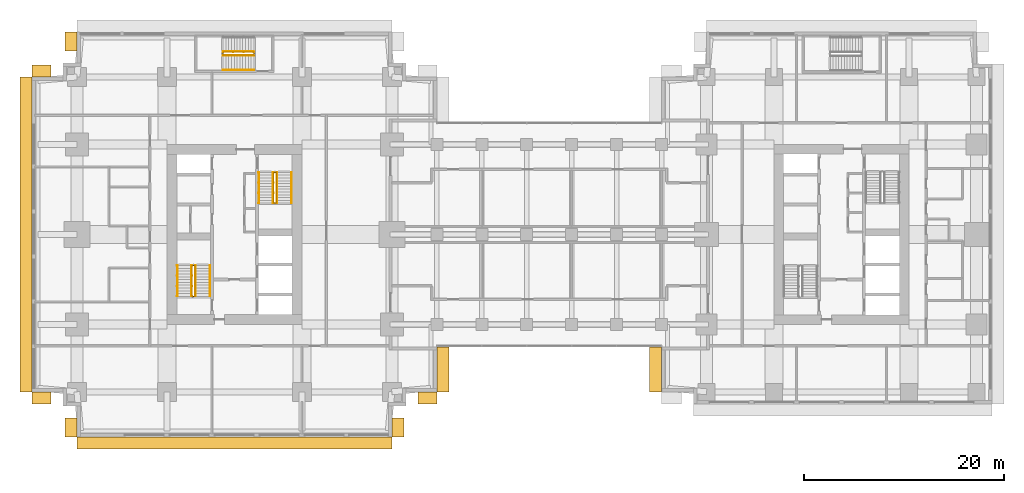
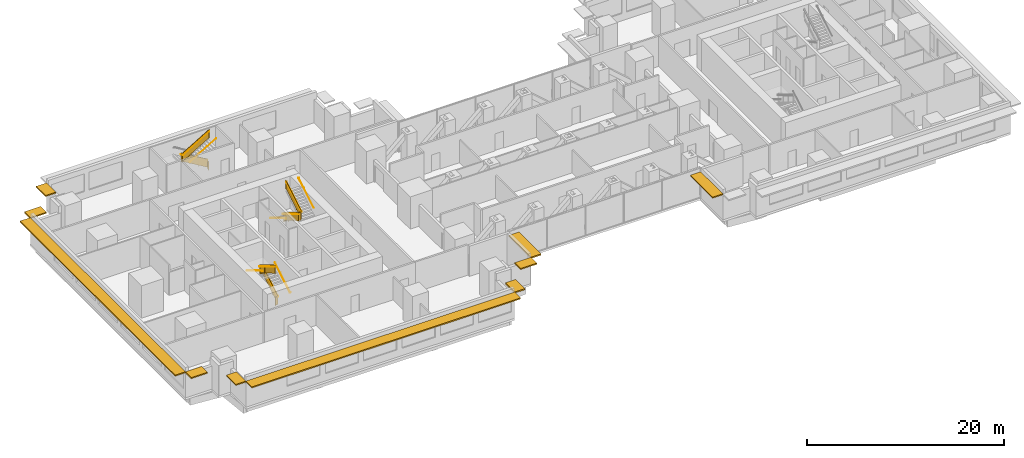
# One storey, part 14 of 16: 14 railings, 10 shading devices.
"""IFC4 building model written with IfcOpenShell, lengths in metres."""

from ifc_helpers import new_model, si_unit, direction, frame, origin, origin_2d, place, context, subcontext, project, spatial, polyline, rectangle, circle, outline, extrude, material, layer, layer_set, type_object, element, save


model = new_model("IFC4")

# Units and contexts
model_context = context("Model", 3, precision=1e-05, world=origin(), true_north=direction((0.0, 1.0)))
body_context = subcontext(model_context, "Body", "Model", "MODEL_VIEW")
ifc_project = project(units=[si_unit("LENGTHUNIT", "METRE"), si_unit("AREAUNIT", "SQUARE_METRE"), si_unit("VOLUMEUNIT", "CUBIC_METRE"), si_unit("PLANEANGLEUNIT", "RADIAN"), si_unit("MASSUNIT", "GRAM", prefix="KILO")], contexts=[model_context])

# Site, building, storey
site_placement = place(None, origin())
site = spatial("IfcSite", under=ifc_project, at=site_placement, CompositionType="ELEMENT")
building_placement = place(site_placement, origin())
building = spatial("IfcBuilding", under=site, at=building_placement, Name="Namib Vertical Campus", CompositionType="ELEMENT")
storey_placement = place(building_placement, frame((0.0, 0.0, 121.0)))
storey = spatial("IfcBuildingStorey", under=building, at=storey_placement, Name="L28", CompositionType="ELEMENT", Elevation=121.0)

# Railings
ifc_material_1 = material(Name="Steel handrail", Category="steel")
railing_type_1 = type_object("IfcRailingType", Name="Handrail 900", PredefinedType="HANDRAIL", material=ifc_material_1)
railing_1_placement = place(storey_placement, frame((17.800048828125, 14.050048828125, 0.166748046875)))
element("IfcRailing", 1, at=railing_1_placement, inside=storey, type_object=railing_type_1, Name="Handrail HR1 A-S1 L28 1", PredefinedType="HANDRAIL", context=body_context, shape_type="SweptSolid", body=[
    extrude(circle(Radius=0.02392578125, at=origin_2d()), frame((0.0, 0.0, 0.8759765625), z_axis=(0.0, 0.859290745958, 0.51148745235), x_axis=(-1.0, 0.0, 0.0)), (0.0, 0.0, 1.0), 3.584228515625),
    extrude(circle(Radius=0.008056640625, at=origin_2d()), frame((0.0, 0.0, 0.8759765625), z_axis=(1.0, 0.0, 0.0), x_axis=(0.0, 0.0, 1.0)), (0.0, 0.0, 1.0), 0.050048828125),
    extrude(circle(Radius=0.008056640625, at=origin_2d()), frame((0.0, 1.026611328125, 1.48681640625), z_axis=(1.0, 0.0, 0.0), x_axis=(0.0, 0.0, 1.0)), (0.0, 0.0, 1.0), 0.050048828125),
    extrude(circle(Radius=0.008056640625, at=origin_2d()), frame((0.0, 2.05322265625, 2.09814453125), z_axis=(1.0, 0.0, 0.0), x_axis=(0.0, 0.0, 1.0)), (0.0, 0.0, 1.0), 0.050048828125),
    extrude(circle(Radius=0.008056640625, at=origin_2d()), frame((0.0, 3.079833984375, 2.708984375), z_axis=(1.0, 0.0, 0.0), x_axis=(0.0, 0.0, 1.0)), (0.0, 0.0, 1.0), 0.050048828125),
])
railing_2_placement = place(storey_placement, frame((14.550048828125, 17.1298828125, 2.166748046875)))
element("IfcRailing", 2, at=railing_2_placement, inside=storey, type_object=railing_type_1, Name="Handrail HR1 A-S1 L28 2", PredefinedType="HANDRAIL", context=body_context, shape_type="SweptSolid", body=[
    extrude(circle(Radius=0.02392578125, at=origin_2d()), frame((0.0, 0.0, 0.8759765625), z_axis=(0.0, -0.859290745958, 0.51148745235), x_axis=(1.0, 0.0, 0.0)), (0.0, 0.0, 1.0), 3.584228515625),
    extrude(circle(Radius=0.008056640625, at=origin_2d()), frame((0.0, 0.0, 0.8759765625), z_axis=(-1.0, 0.0, 0.0), x_axis=(0.0, 0.0, 1.0)), (0.0, 0.0, 1.0), 0.050048828125),
    extrude(circle(Radius=0.008056640625, at=origin_2d()), frame((0.0, -1.026611328125, 1.48681640625), z_axis=(-1.0, 0.0, 0.0), x_axis=(0.0, 0.0, 1.0)), (0.0, 0.0, 1.0), 0.050048828125),
    extrude(circle(Radius=0.008056640625, at=origin_2d()), frame((0.0, -2.05322265625, 2.09814453125), z_axis=(-1.0, 0.0, 0.0), x_axis=(0.0, 0.0, 1.0)), (0.0, 0.0, 1.0), 0.050048828125),
    extrude(circle(Radius=0.008056640625, at=origin_2d()), frame((0.0, -3.079833984375, 2.708984375), z_axis=(-1.0, 0.0, 0.0), x_axis=(0.0, 0.0, 1.0)), (0.0, 0.0, 1.0), 0.050048828125),
])
railing_3_placement = place(storey_placement, frame((16.375, 14.050048828125, 0.166748046875)))
element("IfcRailing", 3, at=railing_3_placement, inside=storey, type_object=railing_type_1, Name="Handrail HR1 A-S1 L28 1 at the well", PredefinedType="HANDRAIL", context=body_context, shape_type="SweptSolid", body=[
    extrude(circle(Radius=0.02392578125, at=origin_2d()), frame((0.0, 0.0, 0.8759765625), z_axis=(0.0, 0.859290745958, 0.51148745235), x_axis=(-1.0, 0.0, 0.0)), (0.0, 0.0, 1.0), 3.584228515625),
    extrude(circle(Radius=0.008056640625, at=origin_2d()), frame((0.0, 0.0, 0.8759765625), z_axis=(-1.0, 0.0, 0.0), x_axis=(0.0, 0.0, 1.0)), (0.0, 0.0, 1.0), 0.0400390625),
    extrude(circle(Radius=0.008056640625, at=origin_2d()), frame((0.0, 1.026611328125, 1.48681640625), z_axis=(-1.0, 0.0, 0.0), x_axis=(0.0, 0.0, 1.0)), (0.0, 0.0, 1.0), 0.0400390625),
    extrude(circle(Radius=0.008056640625, at=origin_2d()), frame((0.0, 2.05322265625, 2.09814453125), z_axis=(-1.0, 0.0, 0.0), x_axis=(0.0, 0.0, 1.0)), (0.0, 0.0, 1.0), 0.0400390625),
    extrude(circle(Radius=0.008056640625, at=origin_2d()), frame((0.0, 3.079833984375, 2.708984375), z_axis=(-1.0, 0.0, 0.0), x_axis=(0.0, 0.0, 1.0)), (0.0, 0.0, 1.0), 0.0400390625),
])
railing_4_placement = place(storey_placement, frame((15.97509765625, 17.1298828125, 2.166748046875)))
element("IfcRailing", 4, at=railing_4_placement, inside=storey, type_object=railing_type_1, Name="Handrail HR1 A-S1 L28 2 at the well", PredefinedType="HANDRAIL", context=body_context, shape_type="SweptSolid", body=[
    extrude(circle(Radius=0.02392578125, at=origin_2d()), frame((0.0, 0.0, 0.8759765625), z_axis=(0.0, -0.859290745958, 0.51148745235), x_axis=(1.0, 0.0, 0.0)), (0.0, 0.0, 1.0), 3.584228515625),
    extrude(circle(Radius=0.008056640625, at=origin_2d()), frame((0.0, 0.0, 0.8759765625), z_axis=(1.0, 0.0, 0.0), x_axis=(0.0, 0.0, 1.0)), (0.0, 0.0, 1.0), 0.0400390625),
    extrude(circle(Radius=0.008056640625, at=origin_2d()), frame((0.0, -1.026611328125, 1.48681640625), z_axis=(1.0, 0.0, 0.0), x_axis=(0.0, 0.0, 1.0)), (0.0, 0.0, 1.0), 0.0400390625),
    extrude(circle(Radius=0.008056640625, at=origin_2d()), frame((0.0, -2.05322265625, 2.09814453125), z_axis=(1.0, 0.0, 0.0), x_axis=(0.0, 0.0, 1.0)), (0.0, 0.0, 1.0), 0.0400390625),
    extrude(circle(Radius=0.008056640625, at=origin_2d()), frame((0.0, -3.079833984375, 2.708984375), z_axis=(1.0, 0.0, 0.0), x_axis=(0.0, 0.0, 1.0)), (0.0, 0.0, 1.0), 0.0400390625),
])
railing_5_placement = place(storey_placement, frame((22.699951171875, 26.449951171875, 0.166748046875)))
element("IfcRailing", 5, at=railing_5_placement, inside=storey, type_object=railing_type_1, Name="Handrail HR1 A-S2 L28 1", PredefinedType="HANDRAIL", context=body_context, shape_type="SweptSolid", body=[
    extrude(circle(Radius=0.02392578125, at=origin_2d()), frame((0.0, 0.0, 0.8759765625), z_axis=(0.0, -0.859290745958, 0.51148745235), x_axis=(1.0, 0.0, 0.0)), (0.0, 0.0, 1.0), 3.584228515625),
    extrude(circle(Radius=0.008056640625, at=origin_2d()), frame((0.0, 0.0, 0.8759765625), z_axis=(-1.0, 0.0, 0.0), x_axis=(0.0, 0.0, 1.0)), (0.0, 0.0, 1.0), 0.050048828125),
    extrude(circle(Radius=0.008056640625, at=origin_2d()), frame((0.0, -1.026611328125, 1.48681640625), z_axis=(-1.0, 0.0, 0.0), x_axis=(0.0, 0.0, 1.0)), (0.0, 0.0, 1.0), 0.050048828125),
    extrude(circle(Radius=0.008056640625, at=origin_2d()), frame((0.0, -2.05322265625, 2.09814453125), z_axis=(-1.0, 0.0, 0.0), x_axis=(0.0, 0.0, 1.0)), (0.0, 0.0, 1.0), 0.050048828125),
    extrude(circle(Radius=0.008056640625, at=origin_2d()), frame((0.0, -3.079833984375, 2.708984375), z_axis=(-1.0, 0.0, 0.0), x_axis=(0.0, 0.0, 1.0)), (0.0, 0.0, 1.0), 0.050048828125),
])
railing_6_placement = place(storey_placement, frame((25.949951171875, 23.3701171875, 2.166748046875)))
element("IfcRailing", 6, at=railing_6_placement, inside=storey, type_object=railing_type_1, Name="Handrail HR1 A-S2 L28 2", PredefinedType="HANDRAIL", context=body_context, shape_type="SweptSolid", body=[
    extrude(circle(Radius=0.02392578125, at=origin_2d()), frame((0.0, 0.0, 0.8759765625), z_axis=(0.0, 0.859290745958, 0.51148745235), x_axis=(-1.0, 0.0, 0.0)), (0.0, 0.0, 1.0), 3.584228515625),
    extrude(circle(Radius=0.008056640625, at=origin_2d()), frame((0.0, 0.0, 0.8759765625), z_axis=(1.0, 0.0, 0.0), x_axis=(0.0, 0.0, 1.0)), (0.0, 0.0, 1.0), 0.050048828125),
    extrude(circle(Radius=0.008056640625, at=origin_2d()), frame((0.0, 1.026611328125, 1.48681640625), z_axis=(1.0, 0.0, 0.0), x_axis=(0.0, 0.0, 1.0)), (0.0, 0.0, 1.0), 0.050048828125),
    extrude(circle(Radius=0.008056640625, at=origin_2d()), frame((0.0, 2.05322265625, 2.09814453125), z_axis=(1.0, 0.0, 0.0), x_axis=(0.0, 0.0, 1.0)), (0.0, 0.0, 1.0), 0.050048828125),
    extrude(circle(Radius=0.008056640625, at=origin_2d()), frame((0.0, 3.079833984375, 2.708984375), z_axis=(1.0, 0.0, 0.0), x_axis=(0.0, 0.0, 1.0)), (0.0, 0.0, 1.0), 0.050048828125),
])
railing_7_placement = place(storey_placement, frame((24.125, 26.449951171875, 0.166748046875)))
element("IfcRailing", 7, at=railing_7_placement, inside=storey, type_object=railing_type_1, Name="Handrail HR1 A-S2 L28 1 at the well", PredefinedType="HANDRAIL", context=body_context, shape_type="SweptSolid", body=[
    extrude(circle(Radius=0.02392578125, at=origin_2d()), frame((0.0, 0.0, 0.8759765625), z_axis=(0.0, -0.859290745958, 0.51148745235), x_axis=(1.0, 0.0, 0.0)), (0.0, 0.0, 1.0), 3.584228515625),
    extrude(circle(Radius=0.008056640625, at=origin_2d()), frame((0.0, 0.0, 0.8759765625), z_axis=(1.0, 0.0, 0.0), x_axis=(0.0, 0.0, 1.0)), (0.0, 0.0, 1.0), 0.0400390625),
    extrude(circle(Radius=0.008056640625, at=origin_2d()), frame((0.0, -1.026611328125, 1.48681640625), z_axis=(1.0, 0.0, 0.0), x_axis=(0.0, 0.0, 1.0)), (0.0, 0.0, 1.0), 0.0400390625),
    extrude(circle(Radius=0.008056640625, at=origin_2d()), frame((0.0, -2.05322265625, 2.09814453125), z_axis=(1.0, 0.0, 0.0), x_axis=(0.0, 0.0, 1.0)), (0.0, 0.0, 1.0), 0.0400390625),
    extrude(circle(Radius=0.008056640625, at=origin_2d()), frame((0.0, -3.079833984375, 2.708984375), z_axis=(1.0, 0.0, 0.0), x_axis=(0.0, 0.0, 1.0)), (0.0, 0.0, 1.0), 0.0400390625),
])
railing_8_placement = place(storey_placement, frame((24.52490234375, 23.3701171875, 2.166748046875)))
element("IfcRailing", 8, at=railing_8_placement, inside=storey, type_object=railing_type_1, Name="Handrail HR1 A-S2 L28 2 at the well", PredefinedType="HANDRAIL", context=body_context, shape_type="SweptSolid", body=[
    extrude(circle(Radius=0.02392578125, at=origin_2d()), frame((0.0, 0.0, 0.8759765625), z_axis=(0.0, 0.859290745958, 0.51148745235), x_axis=(-1.0, 0.0, 0.0)), (0.0, 0.0, 1.0), 3.584228515625),
    extrude(circle(Radius=0.008056640625, at=origin_2d()), frame((0.0, 0.0, 0.8759765625), z_axis=(-1.0, 0.0, 0.0), x_axis=(0.0, 0.0, 1.0)), (0.0, 0.0, 1.0), 0.0400390625),
    extrude(circle(Radius=0.008056640625, at=origin_2d()), frame((0.0, 1.026611328125, 1.48681640625), z_axis=(-1.0, 0.0, 0.0), x_axis=(0.0, 0.0, 1.0)), (0.0, 0.0, 1.0), 0.0400390625),
    extrude(circle(Radius=0.008056640625, at=origin_2d()), frame((0.0, 2.05322265625, 2.09814453125), z_axis=(-1.0, 0.0, 0.0), x_axis=(0.0, 0.0, 1.0)), (0.0, 0.0, 1.0), 0.0400390625),
    extrude(circle(Radius=0.008056640625, at=origin_2d()), frame((0.0, 3.079833984375, 2.708984375), z_axis=(-1.0, 0.0, 0.0), x_axis=(0.0, 0.0, 1.0)), (0.0, 0.0, 1.0), 0.0400390625),
])
railing_9_placement = place(storey_placement, frame((19.1201171875, 36.699951171875, 2.166748046875)))
element("IfcRailing", 9, at=railing_9_placement, inside=storey, type_object=railing_type_1, Name="Handrail HR1 A-S3 L28 2", PredefinedType="HANDRAIL", context=body_context, shape_type="SweptSolid", body=[
    extrude(circle(Radius=0.02392578125, at=origin_2d()), frame((0.0, 0.0, 0.8759765625), z_axis=(0.859290745958, 0.0, 0.51148745235), x_axis=(0.0, 1.0, 0.0)), (0.0, 0.0, 1.0), 3.584228515625),
    extrude(circle(Radius=0.008056640625, at=origin_2d()), frame((0.0, 0.0, 0.8759765625), z_axis=(0.0, -1.0, 0.0), x_axis=(0.0, 0.0, 1.0)), (0.0, 0.0, 1.0), 0.050048828125),
    extrude(circle(Radius=0.008056640625, at=origin_2d()), frame((1.026611328125, 0.0, 1.48681640625), z_axis=(0.0, -1.0, 0.0), x_axis=(0.0, 0.0, 1.0)), (0.0, 0.0, 1.0), 0.050048828125),
    extrude(circle(Radius=0.008056640625, at=origin_2d()), frame((2.05322265625, 0.0, 2.09814453125), z_axis=(0.0, -1.0, 0.0), x_axis=(0.0, 0.0, 1.0)), (0.0, 0.0, 1.0), 0.050048828125),
    extrude(circle(Radius=0.008056640625, at=origin_2d()), frame((3.079833984375, 0.0, 2.708984375), z_axis=(0.0, -1.0, 0.0), x_axis=(0.0, 0.0, 1.0)), (0.0, 0.0, 1.0), 0.050048828125),
])
railing_10_placement = place(storey_placement, frame((22.199951171875, 38.52490234375, 0.166748046875)))
element("IfcRailing", 10, at=railing_10_placement, inside=storey, type_object=railing_type_1, Name="Handrail HR1 A-S3 L28 1 at the well", PredefinedType="HANDRAIL", context=body_context, shape_type="SweptSolid", body=[
    extrude(circle(Radius=0.02392578125, at=origin_2d()), frame((0.0, 0.0, 0.8759765625), z_axis=(-0.859290745958, 0.0, 0.51148745235), x_axis=(0.0, -1.0, 0.0)), (0.0, 0.0, 1.0), 3.584228515625),
    extrude(circle(Radius=0.008056640625, at=origin_2d()), frame((0.0, 0.0, 0.8759765625), z_axis=(0.0, -1.0, 0.0), x_axis=(0.0, 0.0, 1.0)), (0.0, 0.0, 1.0), 0.0400390625),
    extrude(circle(Radius=0.008056640625, at=origin_2d()), frame((-1.026611328125, 0.0, 1.48681640625), z_axis=(0.0, -1.0, 0.0), x_axis=(0.0, 0.0, 1.0)), (0.0, 0.0, 1.0), 0.0400390625),
    extrude(circle(Radius=0.008056640625, at=origin_2d()), frame((-2.05322265625, 0.0, 2.09814453125), z_axis=(0.0, -1.0, 0.0), x_axis=(0.0, 0.0, 1.0)), (0.0, 0.0, 1.0), 0.0400390625),
    extrude(circle(Radius=0.008056640625, at=origin_2d()), frame((-3.079833984375, 0.0, 2.708984375), z_axis=(0.0, -1.0, 0.0), x_axis=(0.0, 0.0, 1.0)), (0.0, 0.0, 1.0), 0.0400390625),
])
railing_11_placement = place(storey_placement, frame((19.1201171875, 38.125, 2.166748046875)))
element("IfcRailing", 11, at=railing_11_placement, inside=storey, type_object=railing_type_1, Name="Handrail HR1 A-S3 L28 2 at the well", PredefinedType="HANDRAIL", context=body_context, shape_type="SweptSolid", body=[
    extrude(circle(Radius=0.02392578125, at=origin_2d()), frame((0.0, 0.0, 0.8759765625), z_axis=(0.859290745958, 0.0, 0.51148745235), x_axis=(0.0, 1.0, 0.0)), (0.0, 0.0, 1.0), 3.584228515625),
    extrude(circle(Radius=0.008056640625, at=origin_2d()), frame((0.0, 0.0, 0.8759765625), z_axis=(0.0, 1.0, 0.0), x_axis=(0.0, 0.0, 1.0)), (0.0, 0.0, 1.0), 0.0400390625),
    extrude(circle(Radius=0.008056640625, at=origin_2d()), frame((1.026611328125, 0.0, 1.48681640625), z_axis=(0.0, 1.0, 0.0), x_axis=(0.0, 0.0, 1.0)), (0.0, 0.0, 1.0), 0.0400390625),
    extrude(circle(Radius=0.008056640625, at=origin_2d()), frame((2.05322265625, 0.0, 2.09814453125), z_axis=(0.0, 1.0, 0.0), x_axis=(0.0, 0.0, 1.0)), (0.0, 0.0, 1.0), 0.0400390625),
    extrude(circle(Radius=0.008056640625, at=origin_2d()), frame((3.079833984375, 0.0, 2.708984375), z_axis=(0.0, 1.0, 0.0), x_axis=(0.0, 0.0, 1.0)), (0.0, 0.0, 1.0), 0.0400390625),
])
ifc_material_2 = material(Name="Steel balustrade", Category="steel")
railing_type_2 = type_object("IfcRailingType", Name="Stair guard 1100", PredefinedType="GUARDRAIL", material=ifc_material_2)
railing_12_placement = place(storey_placement, frame((16.02490234375, 14.050048828125, 0.0)))
element("IfcRailing", 12, at=railing_12_placement, inside=storey, type_object=railing_type_2, Name="Stair guard GR1 A-S1 L28", PredefinedType="GUARDRAIL", context=body_context, shape_type="SweptSolid", body=[
    extrude(circle(Radius=0.02392578125, at=origin_2d()), frame((0.0, 0.0, 1.076171875), z_axis=(1.0, 0.0, 0.0), x_axis=(0.0, 1.0, 0.0)), (0.0, 0.0, 1.0), 0.300048828125),
    extrude(outline(polyline([(0.02099609375, 0.050048828125), (0.279052734375, 0.050048828125), (0.279052734375, 1.052001953125), (0.02099609375, 1.052001953125), (0.02099609375, 0.050048828125)])), frame((0.0, 0.010009765625, 0.0), z_axis=(0.0, -1.0, 0.0), x_axis=(1.0, 0.0, 0.0)), (0.0, 0.0, 1.0), 0.02001953125),
    extrude(circle(Radius=0.02392578125, at=origin_2d()), frame((0.300048828125, 0.0, 1.076171875), z_axis=(0.0, 0.0, 1.0), x_axis=(1.0, 0.0, 0.0)), (0.0, 0.0, 1.0), 0.166748046875),
    extrude(circle(Radius=0.02392578125, at=origin_2d()), frame((0.300048828125, 0.0, 1.24267578125), z_axis=(0.0, 0.859290745958, 0.51148745235), x_axis=(-1.0, 0.0, 0.0)), (0.0, 0.0, 1.0), 3.584228515625),
    extrude(outline(polyline([(0.02099609375, 0.0625), (3.058837890625, 1.870849609375), (3.058837890625, 2.872802734375), (0.02099609375, 1.064453125), (0.02099609375, 0.0625)])), frame((0.2900390625, 0.0, 0.166748046875), z_axis=(1.0, 0.0, 0.0), x_axis=(0.0, 1.0, 0.0)), (0.0, 0.0, 1.0), 0.02001953125),
    extrude(circle(Radius=0.02392578125, at=origin_2d()), frame((0.300048828125, 3.079833984375, 3.076171875), z_axis=(-1.0, 0.0, 0.0), x_axis=(0.0, -1.0, 0.0)), (0.0, 0.0, 1.0), 0.300048828125),
    extrude(outline(polyline([(0.02099609375, 0.050048828125), (0.279052734375, 0.050048828125), (0.279052734375, 1.052001953125), (0.02099609375, 1.052001953125), (0.02099609375, 0.050048828125)])), frame((0.300048828125, 3.06982421875, 2.0), z_axis=(0.0, 1.0, 0.0), x_axis=(-1.0, 0.0, 0.0)), (0.0, 0.0, 1.0), 0.02001953125),
    extrude(circle(Radius=0.02392578125, at=origin_2d()), frame((0.0, 3.079833984375, 3.076171875), z_axis=(0.0, 0.0, 1.0), x_axis=(1.0, 0.0, 0.0)), (0.0, 0.0, 1.0), 0.166748046875),
    extrude(circle(Radius=0.02392578125, at=origin_2d()), frame((0.0, 3.079833984375, 3.24267578125), z_axis=(0.0, -0.859290745958, 0.51148745235), x_axis=(1.0, 0.0, 0.0)), (0.0, 0.0, 1.0), 3.584228515625),
    extrude(outline(polyline([(0.02099609375, 0.0625), (3.058837890625, 1.870849609375), (3.058837890625, 2.872802734375), (0.02099609375, 1.064453125), (0.02099609375, 0.0625)])), frame((0.010009765625, 3.079833984375, 2.166748046875), z_axis=(-1.0, 0.0, 0.0), x_axis=(0.0, -1.0, 0.0)), (0.0, 0.0, 1.0), 0.02001953125),
    extrude(circle(Radius=0.02392578125, at=origin_2d()), frame((0.0, 0.0, 5.076171875), z_axis=(0.0, -1.0, 0.0), x_axis=(1.0, 0.0, 0.0)), (0.0, 0.0, 1.0), 0.050048828125),
    extrude(outline(polyline([(0.02099609375, 0.050048828125), (0.029052734375, 0.050048828125), (0.029052734375, 1.052001953125), (0.02099609375, 1.052001953125), (0.02099609375, 0.050048828125)])), frame((0.010009765625, 0.0, 4.0), z_axis=(-1.0, 0.0, 0.0), x_axis=(0.0, -1.0, 0.0)), (0.0, 0.0, 1.0), 0.02001953125),
    extrude(circle(Radius=0.02099609375, at=origin_2d()), origin(), (0.0, 0.0, 1.0), 1.052001953125),
    extrude(circle(Radius=0.02099609375, at=origin_2d()), frame((0.300048828125, 0.0, 0.166748046875)), (0.0, 0.0, 1.0), 1.052001953125),
    extrude(circle(Radius=0.02099609375, at=origin_2d()), frame((0.300048828125, 1.026611328125, 0.666748046875)), (0.0, 0.0, 1.0), 1.1630859375),
    extrude(circle(Radius=0.02099609375, at=origin_2d()), frame((0.300048828125, 2.05322265625, 1.33349609375)), (0.0, 0.0, 1.0), 1.107421875),
    extrude(circle(Radius=0.02099609375, at=origin_2d()), frame((0.300048828125, 3.079833984375, 2.0)), (0.0, 0.0, 1.0), 1.052001953125),
    extrude(circle(Radius=0.02099609375, at=origin_2d()), frame((0.0, 3.079833984375, 2.166748046875)), (0.0, 0.0, 1.0), 1.052001953125),
    extrude(circle(Radius=0.02099609375, at=origin_2d()), frame((0.0, 2.05322265625, 2.666748046875)), (0.0, 0.0, 1.0), 1.1630859375),
    extrude(circle(Radius=0.02099609375, at=origin_2d()), frame((0.0, 1.026611328125, 3.33349609375)), (0.0, 0.0, 1.0), 1.107421875),
    extrude(circle(Radius=0.02099609375, at=origin_2d()), frame((0.0, 0.0, 4.0)), (0.0, 0.0, 1.0), 1.052001953125),
    extrude(circle(Radius=0.02099609375, at=origin_2d()), frame((0.0, -0.050048828125, 4.0)), (0.0, 0.0, 1.0), 1.052001953125),
])
railing_13_placement = place(storey_placement, frame((24.47509765625, 26.449951171875, 0.0)))
element("IfcRailing", 13, at=railing_13_placement, inside=storey, type_object=railing_type_2, Name="Stair guard GR1 A-S2 L28", PredefinedType="GUARDRAIL", context=body_context, shape_type="SweptSolid", body=[
    extrude(circle(Radius=0.02392578125, at=origin_2d()), frame((0.0, 0.0, 1.076171875), z_axis=(-1.0, 0.0, 0.0), x_axis=(0.0, -1.0, 0.0)), (0.0, 0.0, 1.0), 0.300048828125),
    extrude(outline(polyline([(0.02099609375, 0.050048828125), (0.279052734375, 0.050048828125), (0.279052734375, 1.052001953125), (0.02099609375, 1.052001953125), (0.02099609375, 0.050048828125)])), frame((0.0, -0.010009765625, 0.0), z_axis=(0.0, 1.0, 0.0), x_axis=(-1.0, 0.0, 0.0)), (0.0, 0.0, 1.0), 0.02001953125),
    extrude(circle(Radius=0.02392578125, at=origin_2d()), frame((-0.300048828125, 0.0, 1.076171875), z_axis=(0.0, 0.0, 1.0), x_axis=(1.0, 0.0, 0.0)), (0.0, 0.0, 1.0), 0.166748046875),
    extrude(circle(Radius=0.02392578125, at=origin_2d()), frame((-0.300048828125, 0.0, 1.24267578125), z_axis=(0.0, -0.859290745958, 0.51148745235), x_axis=(1.0, 0.0, 0.0)), (0.0, 0.0, 1.0), 3.584228515625),
    extrude(outline(polyline([(0.02099609375, 0.0625), (3.058837890625, 1.870849609375), (3.058837890625, 2.872802734375), (0.02099609375, 1.064453125), (0.02099609375, 0.0625)])), frame((-0.2900390625, 0.0, 0.166748046875), z_axis=(-1.0, 0.0, 0.0), x_axis=(0.0, -1.0, 0.0)), (0.0, 0.0, 1.0), 0.02001953125),
    extrude(circle(Radius=0.02392578125, at=origin_2d()), frame((-0.300048828125, -3.079833984375, 3.076171875), z_axis=(1.0, 0.0, 0.0), x_axis=(0.0, 1.0, 0.0)), (0.0, 0.0, 1.0), 0.300048828125),
    extrude(outline(polyline([(0.02099609375, 0.050048828125), (0.279052734375, 0.050048828125), (0.279052734375, 1.052001953125), (0.02099609375, 1.052001953125), (0.02099609375, 0.050048828125)])), frame((-0.300048828125, -3.06982421875, 2.0), z_axis=(0.0, -1.0, 0.0), x_axis=(1.0, 0.0, 0.0)), (0.0, 0.0, 1.0), 0.02001953125),
    extrude(circle(Radius=0.02392578125, at=origin_2d()), frame((0.0, -3.079833984375, 3.076171875), z_axis=(0.0, 0.0, 1.0), x_axis=(1.0, 0.0, 0.0)), (0.0, 0.0, 1.0), 0.166748046875),
    extrude(circle(Radius=0.02392578125, at=origin_2d()), frame((0.0, -3.079833984375, 3.24267578125), z_axis=(0.0, 0.859290745958, 0.51148745235), x_axis=(-1.0, 0.0, 0.0)), (0.0, 0.0, 1.0), 3.584228515625),
    extrude(outline(polyline([(0.02099609375, 0.0625), (3.058837890625, 1.870849609375), (3.058837890625, 2.872802734375), (0.02099609375, 1.064453125), (0.02099609375, 0.0625)])), frame((-0.010009765625, -3.079833984375, 2.166748046875), z_axis=(1.0, 0.0, 0.0), x_axis=(0.0, 1.0, 0.0)), (0.0, 0.0, 1.0), 0.02001953125),
    extrude(circle(Radius=0.02392578125, at=origin_2d()), frame((0.0, 0.0, 5.076171875), z_axis=(0.0, 1.0, 0.0), x_axis=(-1.0, 0.0, 0.0)), (0.0, 0.0, 1.0), 0.050048828125),
    extrude(outline(polyline([(0.02099609375, 0.050048828125), (0.029052734375, 0.050048828125), (0.029052734375, 1.052001953125), (0.02099609375, 1.052001953125), (0.02099609375, 0.050048828125)])), frame((-0.010009765625, 0.0, 4.0), z_axis=(1.0, 0.0, 0.0), x_axis=(0.0, 1.0, 0.0)), (0.0, 0.0, 1.0), 0.02001953125),
    extrude(circle(Radius=0.02099609375, at=origin_2d()), origin(), (0.0, 0.0, 1.0), 1.052001953125),
    extrude(circle(Radius=0.02099609375, at=origin_2d()), frame((-0.300048828125, 0.0, 0.166748046875)), (0.0, 0.0, 1.0), 1.052001953125),
    extrude(circle(Radius=0.02099609375, at=origin_2d()), frame((-0.300048828125, -1.026611328125, 0.666748046875)), (0.0, 0.0, 1.0), 1.1630859375),
    extrude(circle(Radius=0.02099609375, at=origin_2d()), frame((-0.300048828125, -2.05322265625, 1.33349609375)), (0.0, 0.0, 1.0), 1.107421875),
    extrude(circle(Radius=0.02099609375, at=origin_2d()), frame((-0.300048828125, -3.079833984375, 2.0)), (0.0, 0.0, 1.0), 1.052001953125),
    extrude(circle(Radius=0.02099609375, at=origin_2d()), frame((0.0, -3.079833984375, 2.166748046875)), (0.0, 0.0, 1.0), 1.052001953125),
    extrude(circle(Radius=0.02099609375, at=origin_2d()), frame((0.0, -2.05322265625, 2.666748046875)), (0.0, 0.0, 1.0), 1.1630859375),
    extrude(circle(Radius=0.02099609375, at=origin_2d()), frame((0.0, -1.026611328125, 3.33349609375)), (0.0, 0.0, 1.0), 1.107421875),
    extrude(circle(Radius=0.02099609375, at=origin_2d()), frame((0.0, 0.0, 4.0)), (0.0, 0.0, 1.0), 1.052001953125),
    extrude(circle(Radius=0.02099609375, at=origin_2d()), frame((0.0, 0.050048828125, 4.0)), (0.0, 0.0, 1.0), 1.052001953125),
])
railing_14_placement = place(storey_placement, frame((22.199951171875, 38.175048828125, 0.0)))
element("IfcRailing", 14, at=railing_14_placement, inside=storey, type_object=railing_type_2, Name="Stair guard GR1 A-S3 L28", PredefinedType="GUARDRAIL", context=body_context, shape_type="SweptSolid", body=[
    extrude(circle(Radius=0.02392578125, at=origin_2d()), frame((0.0, 0.0, 1.076171875), z_axis=(0.0, 1.0, 0.0), x_axis=(-1.0, 0.0, 0.0)), (0.0, 0.0, 1.0), 0.300048828125),
    extrude(outline(polyline([(0.02099609375, 0.050048828125), (0.279052734375, 0.050048828125), (0.279052734375, 1.052001953125), (0.02099609375, 1.052001953125), (0.02099609375, 0.050048828125)])), frame((-0.010009765625, 0.0, 0.0), z_axis=(1.0, 0.0, 0.0), x_axis=(0.0, 1.0, 0.0)), (0.0, 0.0, 1.0), 0.02001953125),
    extrude(circle(Radius=0.02392578125, at=origin_2d()), frame((0.0, 0.300048828125, 1.076171875), z_axis=(0.0, 0.0, 1.0), x_axis=(1.0, 0.0, 0.0)), (0.0, 0.0, 1.0), 0.166748046875),
    extrude(circle(Radius=0.02392578125, at=origin_2d()), frame((0.0, 0.300048828125, 1.24267578125), z_axis=(-0.859290745958, 0.0, 0.51148745235), x_axis=(0.0, -1.0, 0.0)), (0.0, 0.0, 1.0), 3.584228515625),
    extrude(outline(polyline([(0.02099609375, 0.0625), (3.058837890625, 1.870849609375), (3.058837890625, 2.872802734375), (0.02099609375, 1.064453125), (0.02099609375, 0.0625)])), frame((0.0, 0.2900390625, 0.166748046875), z_axis=(0.0, 1.0, 0.0), x_axis=(-1.0, 0.0, 0.0)), (0.0, 0.0, 1.0), 0.02001953125),
    extrude(circle(Radius=0.02392578125, at=origin_2d()), frame((-3.079833984375, 0.300048828125, 3.076171875), z_axis=(0.0, -1.0, 0.0), x_axis=(1.0, 0.0, 0.0)), (0.0, 0.0, 1.0), 0.300048828125),
    extrude(outline(polyline([(0.02099609375, 0.050048828125), (0.279052734375, 0.050048828125), (0.279052734375, 1.052001953125), (0.02099609375, 1.052001953125), (0.02099609375, 0.050048828125)])), frame((-3.06982421875, 0.300048828125, 2.0), z_axis=(-1.0, 0.0, 0.0), x_axis=(0.0, -1.0, 0.0)), (0.0, 0.0, 1.0), 0.02001953125),
    extrude(circle(Radius=0.02392578125, at=origin_2d()), frame((-3.079833984375, 0.0, 3.076171875), z_axis=(0.0, 0.0, 1.0), x_axis=(1.0, 0.0, 0.0)), (0.0, 0.0, 1.0), 0.166748046875),
    extrude(circle(Radius=0.02392578125, at=origin_2d()), frame((-3.079833984375, 0.0, 3.24267578125), z_axis=(0.859290745958, 0.0, 0.51148745235), x_axis=(0.0, 1.0, 0.0)), (0.0, 0.0, 1.0), 3.584228515625),
    extrude(outline(polyline([(0.02099609375, 0.0625), (3.058837890625, 1.870849609375), (3.058837890625, 2.872802734375), (0.02099609375, 1.064453125), (0.02099609375, 0.0625)])), frame((-3.079833984375, 0.010009765625, 2.166748046875), z_axis=(0.0, -1.0, 0.0), x_axis=(1.0, 0.0, 0.0)), (0.0, 0.0, 1.0), 0.02001953125),
    extrude(circle(Radius=0.02392578125, at=origin_2d()), frame((0.0, 0.0, 5.076171875), z_axis=(1.0, 0.0, 0.0), x_axis=(0.0, 1.0, 0.0)), (0.0, 0.0, 1.0), 0.050048828125),
    extrude(outline(polyline([(0.02099609375, 0.050048828125), (0.029052734375, 0.050048828125), (0.029052734375, 1.052001953125), (0.02099609375, 1.052001953125), (0.02099609375, 0.050048828125)])), frame((0.0, 0.010009765625, 4.0), z_axis=(0.0, -1.0, 0.0), x_axis=(1.0, 0.0, 0.0)), (0.0, 0.0, 1.0), 0.02001953125),
    extrude(circle(Radius=0.02099609375, at=origin_2d()), origin(), (0.0, 0.0, 1.0), 1.052001953125),
    extrude(circle(Radius=0.02099609375, at=origin_2d()), frame((0.0, 0.300048828125, 0.166748046875)), (0.0, 0.0, 1.0), 1.052001953125),
    extrude(circle(Radius=0.02099609375, at=origin_2d()), frame((-1.026611328125, 0.300048828125, 0.666748046875)), (0.0, 0.0, 1.0), 1.1630859375),
    extrude(circle(Radius=0.02099609375, at=origin_2d()), frame((-2.05322265625, 0.300048828125, 1.33349609375)), (0.0, 0.0, 1.0), 1.107421875),
    extrude(circle(Radius=0.02099609375, at=origin_2d()), frame((-3.079833984375, 0.300048828125, 2.0)), (0.0, 0.0, 1.0), 1.052001953125),
    extrude(circle(Radius=0.02099609375, at=origin_2d()), frame((-3.079833984375, 0.0, 2.166748046875)), (0.0, 0.0, 1.0), 1.052001953125),
    extrude(circle(Radius=0.02099609375, at=origin_2d()), frame((-2.05322265625, 0.0, 2.666748046875)), (0.0, 0.0, 1.0), 1.1630859375),
    extrude(circle(Radius=0.02099609375, at=origin_2d()), frame((-1.026611328125, 0.0, 3.33349609375)), (0.0, 0.0, 1.0), 1.107421875),
    extrude(circle(Radius=0.02099609375, at=origin_2d()), frame((0.0, 0.0, 4.0)), (0.0, 0.0, 1.0), 1.052001953125),
    extrude(circle(Radius=0.02099609375, at=origin_2d()), frame((0.050048828125, 0.0, 4.0)), (0.0, 0.0, 1.0), 1.052001953125),
])

# Shading devices
ifc_material_3 = material(Name="Concrete C40/50 precast", Category="concrete")
ifc_layer = layer(ifc_material_3, 0.14990234375)
ifc_layer_set = layer_set([ifc_layer], Name="Concrete C40/50 precast")
shading_device_type = type_object("IfcShadingDeviceType", Name="Sunshade hood 1200", PredefinedType="SHUTTER", material=ifc_layer_set)
shading_device_1_placement = place(storey_placement, frame((3.89990234375, 0.949951171875, 3.10009765625), z_axis=(0.0, 0.0, 1.0), x_axis=(0.0, -1.0, 0.0)))
element("IfcShadingDevice", 15, at=shading_device_1_placement, inside=storey, type_object=shading_device_type, Name="Sunshade SH2 L28 1", PredefinedType="SHUTTER", context=body_context, shape_type="SweptSolid", body=[
    extrude(rectangle(XDim=1.89990234375, YDim=1.199951171875, at=origin_2d()), origin(), (0.0, 0.0, 1.0), 0.14990234375),
])
shading_device_2_placement = place(storey_placement, frame((20.25, -0.60009765625, 3.10009765625), z_axis=(0.0, 0.0, 1.0), x_axis=(1.0, 0.0, 0.0)))
element("IfcShadingDevice", 16, at=shading_device_2_placement, inside=storey, type_object=shading_device_type, Name="Sunshade SH2 L28 2", PredefinedType="SHUTTER", context=body_context, shape_type="SweptSolid", body=[
    extrude(rectangle(XDim=31.5, YDim=1.199951171875, at=origin_2d()), origin(), (0.0, 0.0, 1.0), 0.14990234375),
])
for number, where, z_axis, x_axis, name in (
    (17, (36.60009765625, 0.949951171875, 3.10009765625), (0.0, 0.0, 1.0), (0.0, 1.0, 0.0), "Sunshade SH2 L28 3"),
    (18, (39.550048828125, 3.89990234375, 3.10009765625), (0.0, 0.0, 1.0), (1.0, 0.0, 0.0), "Sunshade SH2 L28 6"),
):
    element("IfcShadingDevice", number, at=place(storey_placement, frame(where, z_axis=z_axis, x_axis=x_axis)), inside=storey, type_object=shading_device_type, Name=name, PredefinedType="SHUTTER", context=body_context, shape_type="SweptSolid", body=[
        extrude(rectangle(XDim=1.89990234375, YDim=1.199951171875, at=origin_2d()), origin(), (0.0, 0.0, 1.0), 0.14990234375),
    ])
shading_device_3_placement = place(storey_placement, frame((41.10009765625, 6.75, 3.10009765625), z_axis=(0.0, 0.0, 1.0), x_axis=(0.0, 1.0, 0.0)))
element("IfcShadingDevice", 19, at=shading_device_3_placement, inside=storey, type_object=shading_device_type, Name="Sunshade SH2 L28 7", PredefinedType="SHUTTER", context=body_context, shape_type="SweptSolid", body=[
    extrude(rectangle(XDim=4.5, YDim=1.199951171875, at=origin_2d()), origin(), (0.0, 0.0, 1.0), 0.14990234375),
])
for number, where, z_axis, x_axis, name in (
    (20, (3.89990234375, 39.550048828125, 3.10009765625), (0.0, 0.0, 1.0), (0.0, -1.0, 0.0), "Sunshade SH2 L28 17"),
    (21, (0.949951171875, 36.60009765625, 3.10009765625), (0.0, 0.0, 1.0), (-1.0, 0.0, 0.0), "Sunshade SH2 L28 20"),
):
    element("IfcShadingDevice", number, at=place(storey_placement, frame(where, z_axis=z_axis, x_axis=x_axis)), inside=storey, type_object=shading_device_type, Name=name, PredefinedType="SHUTTER", context=body_context, shape_type="SweptSolid", body=[
        extrude(rectangle(XDim=1.89990234375, YDim=1.199951171875, at=origin_2d()), origin(), (0.0, 0.0, 1.0), 0.14990234375),
    ])
shading_device_4_placement = place(storey_placement, frame((-0.60009765625, 20.25, 3.10009765625), z_axis=(0.0, 0.0, 1.0), x_axis=(0.0, -1.0, 0.0)))
element("IfcShadingDevice", 22, at=shading_device_4_placement, inside=storey, type_object=shading_device_type, Name="Sunshade SH2 L28 21", PredefinedType="SHUTTER", context=body_context, shape_type="SweptSolid", body=[
    extrude(rectangle(XDim=31.5, YDim=1.199951171875, at=origin_2d()), origin(), (0.0, 0.0, 1.0), 0.14990234375),
])
shading_device_5_placement = place(storey_placement, frame((0.949951171875, 3.89990234375, 3.10009765625), z_axis=(0.0, 0.0, 1.0), x_axis=(1.0, 0.0, 0.0)))
element("IfcShadingDevice", 23, at=shading_device_5_placement, inside=storey, type_object=shading_device_type, Name="Sunshade SH2 L28 22", PredefinedType="SHUTTER", context=body_context, shape_type="SweptSolid", body=[
    extrude(rectangle(XDim=1.89990234375, YDim=1.199951171875, at=origin_2d()), origin(), (0.0, 0.0, 1.0), 0.14990234375),
])
shading_device_6_placement = place(storey_placement, frame((62.39990234375, 6.75, 3.10009765625), z_axis=(0.0, 0.0, 1.0), x_axis=(0.0, -1.0, 0.0)))
element("IfcShadingDevice", 24, at=shading_device_6_placement, inside=storey, type_object=shading_device_type, Name="Sunshade SH2 L28 1", PredefinedType="SHUTTER", context=body_context, shape_type="SweptSolid", body=[
    extrude(rectangle(XDim=4.5, YDim=1.199951171875, at=origin_2d()), origin(), (0.0, 0.0, 1.0), 0.14990234375),
])

save(model, "model.ifc")
